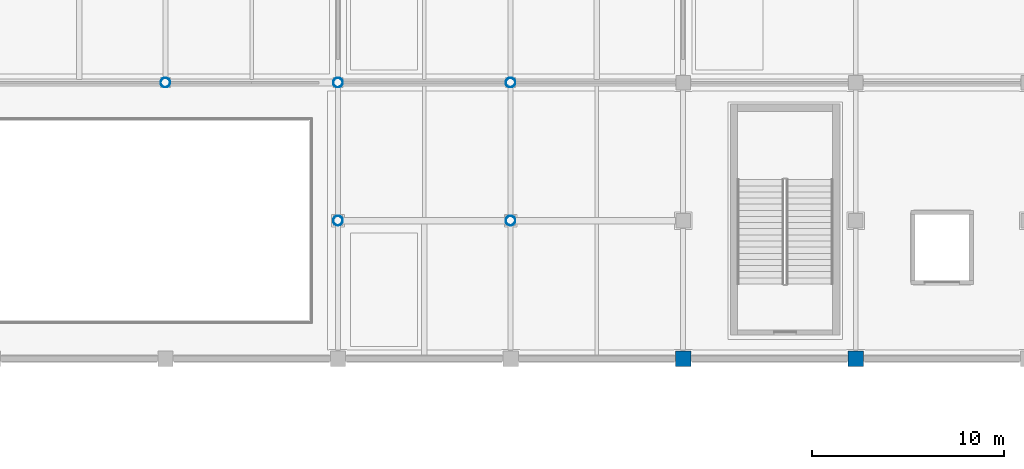
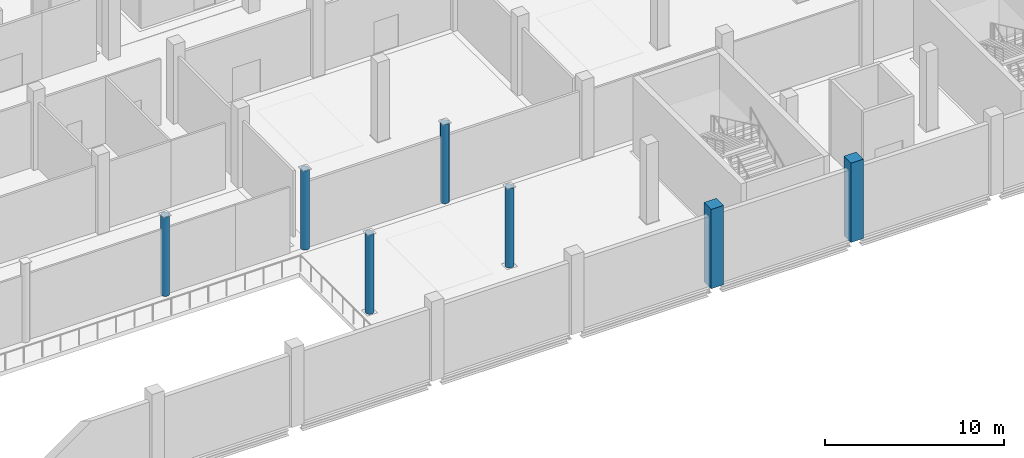
# One storey, part 6 of 189: 7 columns.
"""IFC4 building model written with IfcOpenShell, lengths in metres."""

from ifc_helpers import new_model, si_unit, direction, frame, origin, origin_2d, place, context, subcontext, project, spatial, rectangle, hollow_circle, extrude, material, material_profile, profile_set, type_object, element, save


model = new_model("IFC4")

# Units and contexts
model_context = context("Model", 3, precision=1e-05, world=origin(), true_north=direction((0.0, 1.0)))
body_context = subcontext(model_context, "Body", "Model", "MODEL_VIEW")
ifc_project = project(units=[si_unit("LENGTHUNIT", "METRE"), si_unit("AREAUNIT", "SQUARE_METRE"), si_unit("VOLUMEUNIT", "CUBIC_METRE"), si_unit("PLANEANGLEUNIT", "RADIAN"), si_unit("MASSUNIT", "GRAM", prefix="KILO")], contexts=[model_context])

# Site, building, storey
site_placement = place(None, origin())
site = spatial("IfcSite", under=ifc_project, at=site_placement, CompositionType="ELEMENT")
building_placement = place(site_placement, origin())
building = spatial("IfcBuilding", under=site, at=building_placement, Name="Celestram Park Convention Centre", CompositionType="ELEMENT")
storey_placement = place(building_placement, frame((0.0, 0.0, 5.39990234375)))
storey = spatial("IfcBuildingStorey", under=building, at=storey_placement, Name="L01", CompositionType="ELEMENT", Elevation=5.39990234375)

# Columns
ifc_material_1 = material(Name="Steel ASTM A500 Grade C", Category="steel")
ifc_material_profile_1 = material_profile(ifc_material_1, hollow_circle(Radius=0.25390625, WallThickness=0.01611328125, at=origin_2d()), Name="CHS508X16")
ifc_profile_set_1 = profile_set([ifc_material_profile_1], Name="Steel ASTM A500 Grade C")
column_type_1 = type_object("IfcColumnType", Name="STR-COL-CHS508", PredefinedType="COLUMN", material=ifc_profile_set_1)
for number, where, z_axis, x_axis, name in (
    (1, (72.0, 122.39990234375, 0.0), (0.0, 0.0, 1.0), (1.0, 0.0, 0.0), "Column CN-L01-080"),
    (2, (81.0, 115.199951171875, 0.0), (0.0, 0.0, 1.0), (1.0, 0.0, 0.0), "Column CN-L01-089"),
    (3, (81.0, 122.39990234375, 0.0), (0.0, 0.0, 1.0), (1.0, 0.0, 0.0), "Column CN-L01-090"),
    (4, (90.0, 115.199951171875, 0.0), (0.0, 0.0, 1.0), (1.0, 0.0, 0.0), "Column CN-L01-099"),
    (5, (90.0, 122.39990234375, 0.0), (0.0, 0.0, 1.0), (1.0, 0.0, 0.0), "Column CN-L01-100"),
):
    element("IfcColumn", number, at=place(storey_placement, frame(where, z_axis=z_axis, x_axis=x_axis)), inside=storey, type_object=column_type_1, Name=name, PredefinedType="COLUMN", context=body_context, shape_type="SweptSolid", body=[
        extrude(hollow_circle(Radius=0.25390625, WallThickness=0.01611328125, at=origin_2d()), origin(), (0.0, 0.0, 1.0), 5.400146484375),
    ])
ifc_material_2 = material(Name="Concrete C40/50", Category="concrete")
ifc_material_profile_2 = material_profile(ifc_material_2, rectangle(XDim=0.800048828125, YDim=0.800048828125, at=origin_2d()), Name="RC800X800")
ifc_profile_set_2 = profile_set([ifc_material_profile_2], Name="Concrete C40/50")
column_type_2 = type_object("IfcColumnType", Name="STR-COL-RC800", PredefinedType="COLUMN", material=ifc_profile_set_2)
for number, where, z_axis, x_axis, name in (
    (6, (99.0, 108.0, 0.0), (0.0, 0.0, 1.0), (1.0, 0.0, 0.0), "Column CN-L01-108"),
    (7, (108.0, 108.0, 0.0), (0.0, 0.0, 1.0), (1.0, 0.0, 0.0), "Column CN-L01-118"),
):
    element("IfcColumn", number, at=place(storey_placement, frame(where, z_axis=z_axis, x_axis=x_axis)), inside=storey, type_object=column_type_2, Name=name, PredefinedType="COLUMN", context=body_context, shape_type="SweptSolid", body=[
        extrude(rectangle(XDim=0.800048828125, YDim=0.800048828125, at=origin_2d()), origin(), (0.0, 0.0, 1.0), 5.400146484375),
    ])

save(model, "model.ifc")
